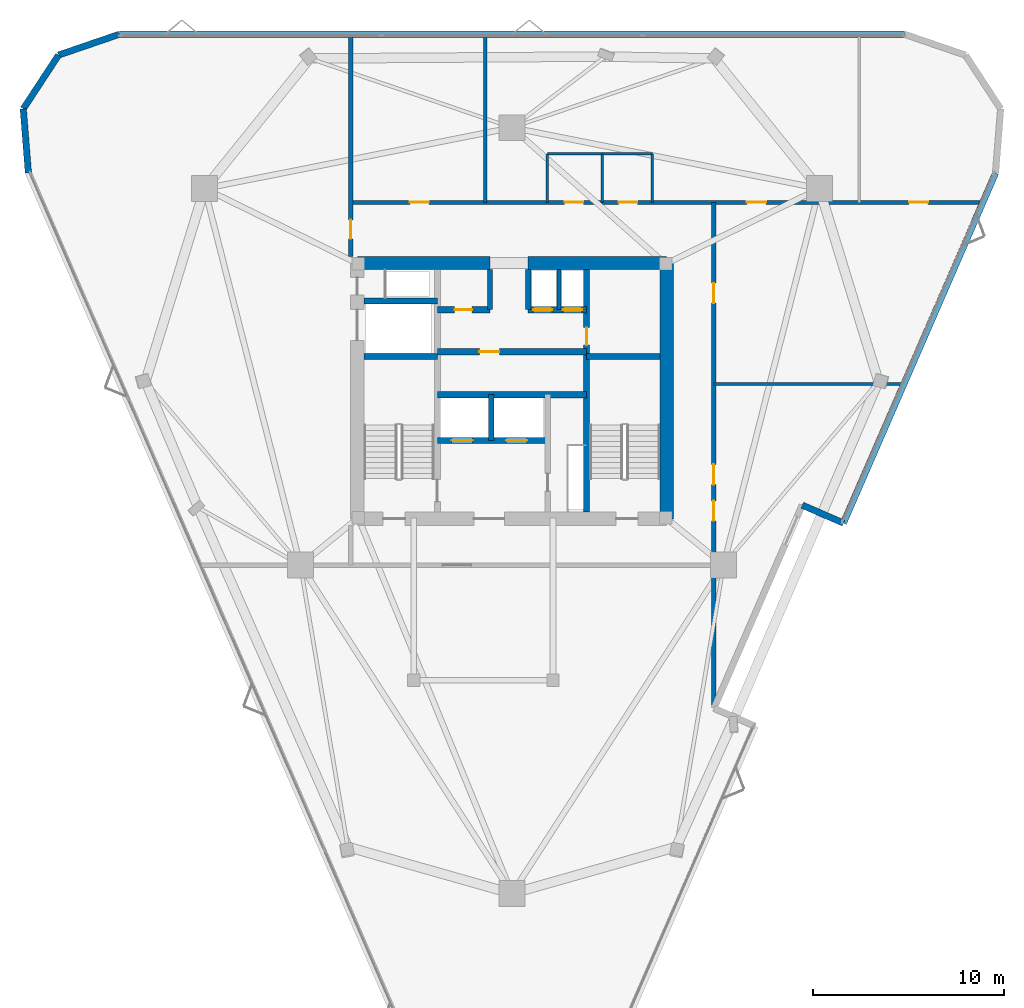
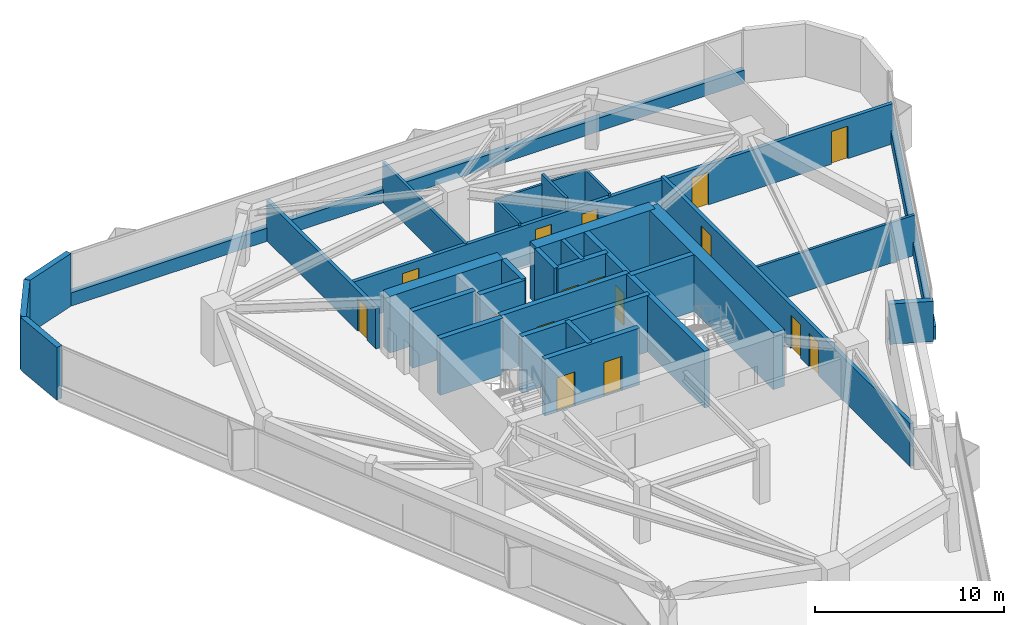
# One storey, part 8 of 10: 31 walls, 16 doors, 16 openings.
"""IFC4 building model written with IfcOpenShell, lengths in metres."""

from ifc_helpers import new_model, si_unit, direction, frame, frame_2d, origin, place, context, subcontext, project, spatial, rectangle, extrude, material, layer, layer_set, type_object, element, fill, save


model = new_model("IFC4")

# Units and contexts
model_context = context("Model", 3, precision=1e-05, world=origin(), true_north=direction((0.0, 1.0)))
body_context = subcontext(model_context, "Body", "Model", "MODEL_VIEW")
ifc_project = project(units=[si_unit("LENGTHUNIT", "METRE"), si_unit("AREAUNIT", "SQUARE_METRE"), si_unit("VOLUMEUNIT", "CUBIC_METRE"), si_unit("PLANEANGLEUNIT", "RADIAN"), si_unit("MASSUNIT", "GRAM", prefix="KILO")], contexts=[model_context])

# Site, building, storey
site_placement = place(None, origin())
site = spatial("IfcSite", under=ifc_project, at=site_placement, CompositionType="ELEMENT")
building_placement = place(site_placement, origin())
building = spatial("IfcBuilding", under=site, at=building_placement, Name="Talyreon Biosciences Tower", CompositionType="ELEMENT")
storey_placement = place(building_placement, frame((0.0, 0.0, 204.949951171875)))
storey = spatial("IfcBuildingStorey", under=building, at=storey_placement, Name="L54", CompositionType="ELEMENT", Elevation=204.949951171875)

# Walls
ifc_material_1 = material(Name="Concrete C50/60", Category="concrete")
ifc_layer_1 = layer(ifc_material_1, 0.219970703125)
ifc_layer_set_1 = layer_set([ifc_layer_1], Name="Concrete C50/60")
wall_type_1 = type_object("IfcWallType", Name="CoreShearWall_220", PredefinedType="SHEAR", material=ifc_layer_set_1)
wall_1_placement = place(storey_placement, frame((68.4599609375, 72.25, 0.0), z_axis=(0.0, 0.0, 1.0), x_axis=(0.0, 1.0, 0.0)))
element("IfcWall", 1, at=wall_1_placement, inside=storey, type_object=wall_type_1, Name="L54 Core Shaft Wall SWPHD", PredefinedType="SHEAR", context=body_context, shape_type="SweptSolid", body=[
    extrude(rectangle(XDim=2.10009765625, YDim=0.219970703125, at=frame_2d((1.050048828125, 0.0))), origin(), (0.0, 0.0, 1.0), 3.650146484375),
])
ifc_layer_2 = layer(ifc_material_1, 0.280029296875)
ifc_layer_set_2 = layer_set([ifc_layer_2], Name="Concrete C50/60")
wall_type_2 = type_object("IfcWallType", Name="CoreShearWall_280", PredefinedType="SHEAR", material=ifc_layer_set_2)
wall_2_placement = place(storey_placement, frame((64.919921875, 65.39990234375, 0.0), z_axis=(0.0, 0.0, 1.0), x_axis=(0.0, 1.0, 0.0)))
element("IfcWall", 2, at=wall_2_placement, inside=storey, type_object=wall_type_2, Name="L54 Core Shaft Wall SWSHD1", PredefinedType="SHEAR", context=body_context, shape_type="SweptSolid", body=[
    extrude(rectangle(XDim=2.400146484375, YDim=0.280029296875, at=frame_2d((1.2001953125, 0.0))), origin(), (0.0, 0.0, 1.0), 3.650146484375),
])
for number, where, z_axis, x_axis, name in (
    (3, (64.85009765625, 72.25, 0.0), (0.0, 0.0, 1.0), (0.0, 1.0, 0.0), "L54 Core Shaft Wall SWTHW"),
    (4, (66.85009765625, 72.25, 0.0), (0.0, 0.0, 1.0), (0.0, 1.0, 0.0), "L54 Core Shaft Wall SWTHE"),
):
    element("IfcWall", number, at=place(storey_placement, frame(where, z_axis=z_axis, x_axis=x_axis)), inside=storey, type_object=wall_type_2, Name=name, PredefinedType="SHEAR", context=body_context, shape_type="SweptSolid", body=[
        extrude(rectangle(XDim=2.10009765625, YDim=0.280029296875, at=frame_2d((1.050048828125, 0.0))), origin(), (0.0, 0.0, 1.0), 3.650146484375),
    ])

# Wall, opening, door
ifc_layer_3 = layer(ifc_material_1, 0.320068359375)
ifc_layer_set_3 = layer_set([ifc_layer_3], Name="Concrete C50/60")
wall_type_3 = type_object("IfcWallType", Name="CoreShearWall_320", PredefinedType="SHEAR", material=ifc_layer_set_3)
wall_3_placement = place(storey_placement, frame((69.909912109375, 61.64990234375, 0.0), z_axis=(0.0, 0.0, 1.0), x_axis=(0.0, 1.0, 0.0)))
wall_3 = element("IfcWall", 5, at=wall_3_placement, inside=storey, type_object=wall_type_3, Name="L54 Core Shaft Wall SW2W", PredefinedType="SHEAR", context=body_context, shape_type="SweptSolid", body=[
    extrude(rectangle(XDim=12.7001953125, YDim=0.320068359375, at=frame_2d((6.35009765625, 0.0))), origin(), (0.0, 0.0, 1.0), 3.650146484375),
])
opening_1_placement = place(wall_3_placement, frame((8.75, 0.0, 0.0)))
opening_1 = element("IfcOpeningElement", 6, at=opening_1_placement, cuts=wall_3, Name="Opening DR-L54-CSRV", PredefinedType="OPENING", context=body_context, shape_type="SweptSolid", body=[
    extrude(rectangle(XDim=0.919921875, YDim=2.050048828125, at=frame_2d((0.4599609375, 1.02490234375))), frame((0.0, 0.169921875, 0.0), z_axis=(0.0, -1.0, 0.0), x_axis=(1.0, 0.0, 0.0)), (0.0, 0.0, 1.0), 0.340087890625),
])
ifc_material_2 = material(Name="Painted steel fire-rated riser door", Category="steel")
door_type_1 = type_object("IfcDoorType", Name="RiserPlantAccessDoor_920x2050", OperationType="NOTDEFINED", PredefinedType="DOOR", material=ifc_material_2)
door_1_placement = place(opening_1_placement, origin())
door_1 = element("IfcDoor", 7, at=door_1_placement, inside=storey, type_object=door_type_1, Name="L54 Core Door DR-L54-CSRV", OperationType="SINGLE_SWING_RIGHT", OverallHeight=2.050048828125, OverallWidth=0.919921875, PredefinedType="DOOR", context=body_context, shape_type="SweptSolid", body=[
    extrude(rectangle(XDim=0.919921875, YDim=2.050048828125, at=frame_2d((0.4599609375, 1.02490234375))), frame((0.0, 0.02490234375, 0.0), z_axis=(0.0, -1.0, 0.0), x_axis=(1.0, 0.0, 0.0)), (0.0, 0.0, 1.0), 0.050048828125),
])
fill(opening_1, door_1)

# Walls
for number, where, z_axis, x_axis, name in (
    (8, (58.25, 69.81005859375, 0.0), (0.0, 0.0, 1.0), (1.0, 0.0, 0.0), "L54 Core Shaft Wall SW1N"),
    (9, (69.909912109375, 69.81005859375, 0.0), (0.0, 0.0, 1.0), (1.0, 0.0, 0.0), "L54 Core Shaft Wall SW2N"),
    (10, (58.25, 72.699951171875, 0.0), (0.0, 0.0, 1.0), (1.0, 0.0, 0.0), "L54 Core Shaft Wall SWGLN"),
):
    element("IfcWall", number, at=place(storey_placement, frame(where, z_axis=z_axis, x_axis=x_axis)), inside=storey, type_object=wall_type_3, Name=name, PredefinedType="SHEAR", context=body_context, shape_type="SweptSolid", body=[
        extrude(rectangle(XDim=3.840087890625, YDim=0.320068359375, at=frame_2d((1.919921875, 0.0))), origin(), (0.0, 0.0, 1.0), 3.650146484375),
    ])
wall_4_placement = place(storey_placement, frame((62.090087890625, 67.800048828125, 0.0), z_axis=(0.0, 0.0, 1.0), x_axis=(1.0, 0.0, 0.0)))
element("IfcWall", 11, at=wall_4_placement, inside=storey, type_object=wall_type_3, Name="L54 Core Shaft Wall SWSHM", PredefinedType="SHEAR", context=body_context, shape_type="SweptSolid", body=[
    extrude(rectangle(XDim=7.81982421875, YDim=0.320068359375, at=frame_2d((3.909912109375, 0.0))), origin(), (0.0, 0.0, 1.0), 3.650146484375),
])

# Wall, opening, door
wall_5_placement = place(storey_placement, frame((62.090087890625, 70.050048828125, 0.0), z_axis=(0.0, 0.0, 1.0), x_axis=(1.0, 0.0, 0.0)))
wall_5 = element("IfcWall", 12, at=wall_5_placement, inside=storey, type_object=wall_type_3, Name="L54 Core Shaft Wall SWSPN", PredefinedType="SHEAR", context=body_context, shape_type="SweptSolid", body=[
    extrude(rectangle(XDim=7.81982421875, YDim=0.320068359375, at=frame_2d((3.909912109375, 0.0))), origin(), (0.0, 0.0, 1.0), 3.650146484375),
])
opening_2_placement = place(wall_5_placement, frame((2.199951171875, 0.0, 0.0)))
opening_2 = element("IfcOpeningElement", 13, at=opening_2_placement, cuts=wall_5, Name="Opening DR-L54-PLPMFREE", PredefinedType="OPENING", context=body_context, shape_type="SweptSolid", body=[
    extrude(rectangle(XDim=1.050048828125, YDim=2.14990234375, at=frame_2d((0.52490234375, 1.074951171875))), frame((0.0, 0.169921875, 0.0), z_axis=(0.0, -1.0, 0.0), x_axis=(1.0, 0.0, 0.0)), (0.0, 0.0, 1.0), 0.340087890625),
])
ifc_material_3 = material(Name="Acoustic timber-core laboratory door", Category="wood")
door_type_2 = type_object("IfcDoorType", Name="DryLabSingleDoor_1050x2150", OperationType="NOTDEFINED", PredefinedType="DOOR", material=ifc_material_3)
door_2_placement = place(opening_2_placement, origin())
door_2 = element("IfcDoor", 14, at=door_2_placement, inside=storey, type_object=door_type_2, Name="L54 Core Door DR-L54-PLPMFREE", OperationType="SINGLE_SWING_LEFT", OverallHeight=2.14990234375, OverallWidth=1.050048828125, PredefinedType="DOOR", context=body_context, shape_type="SweptSolid", body=[
    extrude(rectangle(XDim=1.050048828125, YDim=2.14990234375, at=frame_2d((0.52490234375, 1.074951171875))), frame((0.0, 0.02490234375, 0.0), z_axis=(0.0, -1.0, 0.0), x_axis=(1.0, 0.0, 0.0)), (0.0, 0.0, 1.0), 0.050048828125),
])
fill(opening_2, door_2)

wall_6_placement = place(storey_placement, frame((62.090087890625, 72.25, 0.0), z_axis=(0.0, 0.0, 1.0), x_axis=(1.0, 0.0, 0.0)))
wall_6 = element("IfcWall", 15, at=wall_6_placement, inside=storey, type_object=wall_type_3, Name="L54 Core Shaft Wall SWNPW", PredefinedType="SHEAR", context=body_context, shape_type="SweptSolid", body=[
    extrude(rectangle(XDim=2.760009765625, YDim=0.320068359375, at=frame_2d((1.3798828125, 0.0))), origin(), (0.0, 0.0, 1.0), 3.650146484375),
])
opening_3_placement = place(wall_6_placement, frame((0.89990234375, 0.0, 0.0)))
opening_3 = element("IfcOpeningElement", 16, at=opening_3_placement, cuts=wall_6, Name="Opening DR-L54-PM2FREE", PredefinedType="OPENING", context=body_context, shape_type="SweptSolid", body=[
    extrude(rectangle(XDim=0.919921875, YDim=2.050048828125, at=frame_2d((0.4599609375, 1.02490234375))), frame((0.0, 0.169921875, 0.0), z_axis=(0.0, -1.0, 0.0), x_axis=(1.0, 0.0, 0.0)), (0.0, 0.0, 1.0), 0.340087890625),
])
door_3_placement = place(opening_3_placement, origin())
door_3 = element("IfcDoor", 17, at=door_3_placement, inside=storey, type_object=door_type_1, Name="L54 Core Door DR-L54-PM2FREE", OperationType="SINGLE_SWING_RIGHT", OverallHeight=2.050048828125, OverallWidth=0.919921875, PredefinedType="DOOR", context=body_context, shape_type="SweptSolid", body=[
    extrude(rectangle(XDim=0.919921875, YDim=2.050048828125, at=frame_2d((0.4599609375, 1.02490234375))), frame((0.0, 0.02490234375, 0.0), z_axis=(0.0, -1.0, 0.0), x_axis=(1.0, 0.0, 0.0)), (0.0, 0.0, 1.0), 0.050048828125),
])
fill(opening_3, door_3)

# Wall, openings, doors
wall_7_placement = place(storey_placement, frame((66.85009765625, 72.25, 0.0), z_axis=(0.0, 0.0, 1.0), x_axis=(1.0, 0.0, 0.0)))
wall_7 = element("IfcWall", 18, at=wall_7_placement, inside=storey, type_object=wall_type_3, Name="L54 Core Shaft Wall SWNPE", PredefinedType="SHEAR", context=body_context, shape_type="SweptSolid", body=[
    extrude(rectangle(XDim=3.059814453125, YDim=0.320068359375, at=frame_2d((1.52978515625, 0.0))), origin(), (0.0, 0.0, 1.0), 3.650146484375),
])
opening_4_placement = place(wall_7_placement, frame((0.25, 0.0, 0.0)))
opening_4 = element("IfcOpeningElement", 19, at=opening_4_placement, cuts=wall_7, Name="Opening LD-L54-PH1", PredefinedType="OPENING", context=body_context, shape_type="SweptSolid", body=[
    extrude(rectangle(XDim=1.0, YDim=2.199951171875, at=frame_2d((0.5, 1.10009765625))), frame((0.0, 0.169921875, 0.0), z_axis=(0.0, -1.0, 0.0), x_axis=(1.0, 0.0, 0.0)), (0.0, 0.0, 1.0), 0.340087890625),
])
opening_5_placement = place(wall_7_placement, frame((1.820068359375, 0.0, 0.0)))
opening_5 = element("IfcOpeningElement", 20, at=opening_5_placement, cuts=wall_7, Name="Opening LD-L54-PH2", PredefinedType="OPENING", context=body_context, shape_type="SweptSolid", body=[
    extrude(rectangle(XDim=1.0, YDim=2.199951171875, at=frame_2d((0.5, 1.10009765625))), frame((0.0, 0.169921875, 0.0), z_axis=(0.0, -1.0, 0.0), x_axis=(1.0, 0.0, 0.0)), (0.0, 0.0, 1.0), 0.340087890625),
])
ifc_material_4 = material(Name="Brushed stainless-steel lift landing door", Category="steel")
door_type_3 = type_object("IfcDoorType", Name="LiftSlidingLandingDoor_1100x2200", OperationType="SLIDING_TO_LEFT", PredefinedType="DOOR", material=ifc_material_4)
door_4_placement = place(opening_4_placement, origin())
door_4 = element("IfcDoor", 21, at=door_4_placement, inside=storey, type_object=door_type_3, Name="L54 Core Door LD-L54-PH1", OperationType="SLIDING_TO_LEFT", OverallHeight=2.199951171875, OverallWidth=1.0, PredefinedType="DOOR", context=body_context, shape_type="SweptSolid", body=[
    extrude(rectangle(XDim=1.0, YDim=2.199951171875, at=frame_2d((0.5, 1.10009765625))), frame((0.0, 0.02490234375, 0.0), z_axis=(0.0, -1.0, 0.0), x_axis=(1.0, 0.0, 0.0)), (0.0, 0.0, 1.0), 0.050048828125),
])
fill(opening_4, door_4)
door_5_placement = place(opening_5_placement, origin())
door_5 = element("IfcDoor", 22, at=door_5_placement, inside=storey, type_object=door_type_3, Name="L54 Core Door LD-L54-PH2", OperationType="SLIDING_TO_LEFT", OverallHeight=2.199951171875, OverallWidth=1.0, PredefinedType="DOOR", context=body_context, shape_type="SweptSolid", body=[
    extrude(rectangle(XDim=1.0, YDim=2.199951171875, at=frame_2d((0.5, 1.10009765625))), frame((0.0, 0.02490234375, 0.0), z_axis=(0.0, -1.0, 0.0), x_axis=(1.0, 0.0, 0.0)), (0.0, 0.0, 1.0), 0.050048828125),
])
fill(opening_5, door_5)

wall_8_placement = place(storey_placement, frame((62.090087890625, 65.39990234375, 0.0), z_axis=(0.0, 0.0, 1.0), x_axis=(1.0, 0.0, 0.0)))
wall_8 = element("IfcWall", 23, at=wall_8_placement, inside=storey, type_object=wall_type_3, Name="L54 Core Shaft Wall SWFFN", PredefinedType="SHEAR", context=body_context, shape_type="SweptSolid", body=[
    extrude(rectangle(XDim=5.789794921875, YDim=0.320068359375, at=frame_2d((2.89501953125, 0.0))), origin(), (0.0, 0.0, 1.0), 3.650146484375),
])
opening_6_placement = place(wall_8_placement, frame((0.75, 0.0, 0.0)))
opening_6 = element("IfcOpeningElement", 24, at=opening_6_placement, cuts=wall_8, Name="Opening LD-L54-FL1", PredefinedType="OPENING", context=body_context, shape_type="SweptSolid", body=[
    extrude(rectangle(XDim=1.10009765625, YDim=2.199951171875, at=frame_2d((0.550048828125, 1.10009765625))), frame((0.0, 0.169921875, 0.0), z_axis=(0.0, -1.0, 0.0), x_axis=(1.0, 0.0, 0.0)), (0.0, 0.0, 1.0), 0.340087890625),
])
opening_7_placement = place(wall_8_placement, frame((3.60009765625, 0.0, 0.0)))
opening_7 = element("IfcOpeningElement", 25, at=opening_7_placement, cuts=wall_8, Name="Opening LD-L54-FL2", PredefinedType="OPENING", context=body_context, shape_type="SweptSolid", body=[
    extrude(rectangle(XDim=1.10009765625, YDim=2.199951171875, at=frame_2d((0.550048828125, 1.10009765625))), frame((0.0, 0.169921875, 0.0), z_axis=(0.0, -1.0, 0.0), x_axis=(1.0, 0.0, 0.0)), (0.0, 0.0, 1.0), 0.340087890625),
])
door_6_placement = place(opening_6_placement, origin())
door_6 = element("IfcDoor", 26, at=door_6_placement, inside=storey, type_object=door_type_3, Name="L54 Core Door LD-L54-FL1", OperationType="SLIDING_TO_LEFT", OverallHeight=2.199951171875, OverallWidth=1.10009765625, PredefinedType="DOOR", context=body_context, shape_type="SweptSolid", body=[
    extrude(rectangle(XDim=1.10009765625, YDim=2.199951171875, at=frame_2d((0.550048828125, 1.10009765625))), frame((0.0, 0.02490234375, 0.0), z_axis=(0.0, -1.0, 0.0), x_axis=(1.0, 0.0, 0.0)), (0.0, 0.0, 1.0), 0.050048828125),
])
fill(opening_6, door_6)
door_7_placement = place(opening_7_placement, origin())
door_7 = element("IfcDoor", 27, at=door_7_placement, inside=storey, type_object=door_type_3, Name="L54 Core Door LD-L54-FL2", OperationType="SLIDING_TO_LEFT", OverallHeight=2.199951171875, OverallWidth=1.10009765625, PredefinedType="DOOR", context=body_context, shape_type="SweptSolid", body=[
    extrude(rectangle(XDim=1.10009765625, YDim=2.199951171875, at=frame_2d((0.550048828125, 1.10009765625))), frame((0.0, 0.02490234375, 0.0), z_axis=(0.0, -1.0, 0.0), x_axis=(1.0, 0.0, 0.0)), (0.0, 0.0, 1.0), 0.050048828125),
])
fill(opening_7, door_7)

# Walls
ifc_layer_4 = layer(ifc_material_1, 0.699951171875)
ifc_layer_set_4 = layer_set([ifc_layer_4], Name="Concrete C50/60")
wall_type_4 = type_object("IfcWallType", Name="CoreShearWall_700", PredefinedType="SHEAR", material=ifc_layer_set_4)
wall_9_placement = place(storey_placement, frame((74.10009765625, 61.300048828125, 0.0), z_axis=(0.0, 0.0, 1.0), x_axis=(0.0, 1.0, 0.0)))
element("IfcWall", 28, at=wall_9_placement, inside=storey, type_object=wall_type_4, Name="L54 Core Shear Wall E", PredefinedType="SHEAR", context=body_context, shape_type="SweptSolid", body=[
    extrude(rectangle(XDim=13.39990234375, YDim=0.699951171875, at=frame_2d((6.699951171875, 0.0))), origin(), (0.0, 0.0, 1.0), 3.650146484375),
])
wall_10_placement = place(storey_placement, frame((74.10009765625, 74.699951171875, 0.0), z_axis=(0.0, 0.0, 1.0), x_axis=(-1.0, 0.0, 0.0)))
element("IfcWall", 29, at=wall_10_placement, inside=storey, type_object=wall_type_4, Name="L54 Core Shear Wall NE", PredefinedType="SHEAR", context=body_context, shape_type="SweptSolid", body=[
    extrude(rectangle(XDim=7.25, YDim=0.699951171875, at=frame_2d((3.625, 0.0))), origin(), (0.0, 0.0, 1.0), 3.650146484375),
])
wall_11_placement = place(storey_placement, frame((64.85009765625, 74.699951171875, 0.0), z_axis=(0.0, 0.0, 1.0), x_axis=(-1.0, 0.0, 0.0)))
element("IfcWall", 30, at=wall_11_placement, inside=storey, type_object=wall_type_4, Name="L54 Core Shear Wall NW", PredefinedType="SHEAR", context=body_context, shape_type="SweptSolid", body=[
    extrude(rectangle(XDim=6.9501953125, YDim=0.699951171875, at=frame_2d((3.47509765625, 0.0))), origin(), (0.0, 0.0, 1.0), 3.650146484375),
])

# Wall, openings, doors
ifc_material_5 = material(Name="Gypsum fireboard acoustic stud", Category="gypsum")
ifc_layer_5 = layer(ifc_material_5, 0.219970703125)
ifc_layer_set_5 = layer_set([ifc_layer_5], Name="Gypsum fireboard acoustic stud")
wall_type_5 = type_object("IfcWallType", Name="CorridorRatedPartition_220", PredefinedType="PARTITIONING", material=ifc_layer_set_5)
wall_12_placement = place(storey_placement, frame((57.550048828125, 77.8701171875, 0.0), z_axis=(0.0, 0.0, 1.0), x_axis=(1.0, 0.0, 0.0)))
wall_12 = element("IfcWall", 31, at=wall_12_placement, inside=storey, type_object=wall_type_5, Name="L54 Interior Wall IW-L54-COR-N", PredefinedType="PARTITIONING", context=body_context, shape_type="SweptSolid", body=[
    extrude(rectangle(XDim=33.021240234375, YDim=0.219970703125, at=frame_2d((16.5107421875, 0.0))), origin(), (0.0, 0.0, 1.0), 2.60009765625),
])
opening_8_placement = place(wall_12_placement, frame((11.2099609375, 0.0, 0.0)))
opening_8 = element("IfcOpeningElement", 32, at=opening_8_placement, cuts=wall_12, Name="Opening DR-L54-WC", PredefinedType="OPENING", context=body_context, shape_type="SweptSolid", body=[
    extrude(rectangle(XDim=0.97998046875, YDim=2.10009765625, at=frame_2d((0.489990234375, 1.050048828125))), frame((0.0, 0.119873046875, 0.0), z_axis=(0.0, -1.0, 0.0), x_axis=(1.0, 0.0, 0.0)), (0.0, 0.0, 1.0), 0.239990234375),
])
opening_9_placement = place(wall_12_placement, frame((14.034912109375, 0.0, 0.0)))
opening_9 = element("IfcOpeningElement", 33, at=opening_9_placement, cuts=wall_12, Name="Opening DR-L54-AWC", PredefinedType="OPENING", context=body_context, shape_type="SweptSolid", body=[
    extrude(rectangle(XDim=0.97998046875, YDim=2.10009765625, at=frame_2d((0.489990234375, 1.050048828125))), frame((0.0, 0.119873046875, 0.0), z_axis=(0.0, -1.0, 0.0), x_axis=(1.0, 0.0, 0.0)), (0.0, 0.0, 1.0), 0.239990234375),
])
opening_10_placement = place(wall_12_placement, frame((3.10009765625, 0.0, 0.0)))
opening_10 = element("IfcOpeningElement", 34, at=opening_10_placement, cuts=wall_12, Name="Opening DR-L54-N1A", PredefinedType="OPENING", context=body_context, shape_type="SweptSolid", body=[
    extrude(rectangle(XDim=1.0, YDim=2.10009765625, at=frame_2d((0.5, 1.050048828125))), frame((0.0, 0.119873046875, 0.0), z_axis=(0.0, -1.0, 0.0), x_axis=(1.0, 0.0, 0.0)), (0.0, 0.0, 1.0), 0.239990234375),
])
opening_11_placement = place(wall_12_placement, frame((20.757080078125, 0.0, 0.0)))
opening_11 = element("IfcOpeningElement", 35, at=opening_11_placement, cuts=wall_12, Name="Opening DR-L54-N2A", PredefinedType="OPENING", context=body_context, shape_type="SweptSolid", body=[
    extrude(rectangle(XDim=1.0, YDim=2.10009765625, at=frame_2d((0.5, 1.050048828125))), frame((0.0, 0.119873046875, 0.0), z_axis=(0.0, -1.0, 0.0), x_axis=(1.0, 0.0, 0.0)), (0.0, 0.0, 1.0), 0.239990234375),
])
opening_12_placement = place(wall_12_placement, frame((29.251953125, 0.0, 0.0)))
opening_12 = element("IfcOpeningElement", 36, at=opening_12_placement, cuts=wall_12, Name="Opening DR-L54-N3A", PredefinedType="OPENING", context=body_context, shape_type="SweptSolid", body=[
    extrude(rectangle(XDim=1.0, YDim=2.10009765625, at=frame_2d((0.5, 1.050048828125))), frame((0.0, 0.119873046875, 0.0), z_axis=(0.0, -1.0, 0.0), x_axis=(1.0, 0.0, 0.0)), (0.0, 0.0, 1.0), 0.239990234375),
])
ifc_material_6 = material(Name="Laminate moisture-resistant door", Category="wood")
door_type_4 = type_object("IfcDoorType", Name="AccessibleToiletDoor_980x2100", OperationType="NOTDEFINED", PredefinedType="DOOR", material=ifc_material_6)
door_8_placement = place(opening_8_placement, origin())
door_8 = element("IfcDoor", 37, at=door_8_placement, inside=storey, type_object=door_type_4, Name="L54 Interior Door DR-L54-WC", OperationType="SINGLE_SWING_LEFT", OverallHeight=2.10009765625, OverallWidth=0.97998046875, PredefinedType="DOOR", context=body_context, shape_type="SweptSolid", body=[
    extrude(rectangle(XDim=0.97998046875, YDim=2.10009765625, at=frame_2d((0.489990234375, 1.050048828125))), frame((0.0, 0.02490234375, 0.0), z_axis=(0.0, -1.0, 0.0), x_axis=(1.0, 0.0, 0.0)), (0.0, 0.0, 1.0), 0.050048828125),
])
fill(opening_8, door_8)
door_9_placement = place(opening_9_placement, origin())
door_9 = element("IfcDoor", 38, at=door_9_placement, inside=storey, type_object=door_type_4, Name="L54 Interior Door DR-L54-AWC", OperationType="SINGLE_SWING_LEFT", OverallHeight=2.10009765625, OverallWidth=0.97998046875, PredefinedType="DOOR", context=body_context, shape_type="SweptSolid", body=[
    extrude(rectangle(XDim=0.97998046875, YDim=2.10009765625, at=frame_2d((0.489990234375, 1.050048828125))), frame((0.0, 0.02490234375, 0.0), z_axis=(0.0, -1.0, 0.0), x_axis=(1.0, 0.0, 0.0)), (0.0, 0.0, 1.0), 0.050048828125),
])
fill(opening_9, door_9)
ifc_material_7 = material(Name="Acoustic oak veneer office door", Category="wood")
door_type_5 = type_object("IfcDoorType", Name="WriteupOfficeDoor_1000x2100", OperationType="NOTDEFINED", PredefinedType="DOOR", material=ifc_material_7)
door_10_placement = place(opening_10_placement, origin())
door_10 = element("IfcDoor", 39, at=door_10_placement, inside=storey, type_object=door_type_5, Name="L54 Interior Door DR-L54-N1A", OperationType="SINGLE_SWING_LEFT", OverallHeight=2.10009765625, OverallWidth=1.0, PredefinedType="DOOR", context=body_context, shape_type="SweptSolid", body=[
    extrude(rectangle(XDim=1.0, YDim=2.10009765625, at=frame_2d((0.5, 1.050048828125))), frame((0.0, 0.02490234375, 0.0), z_axis=(0.0, -1.0, 0.0), x_axis=(1.0, 0.0, 0.0)), (0.0, 0.0, 1.0), 0.050048828125),
])
fill(opening_10, door_10)
door_11_placement = place(opening_11_placement, origin())
door_11 = element("IfcDoor", 40, at=door_11_placement, inside=storey, type_object=door_type_5, Name="L54 Interior Door DR-L54-N2A", OperationType="SINGLE_SWING_RIGHT", OverallHeight=2.10009765625, OverallWidth=1.0, PredefinedType="DOOR", context=body_context, shape_type="SweptSolid", body=[
    extrude(rectangle(XDim=1.0, YDim=2.10009765625, at=frame_2d((0.5, 1.050048828125))), frame((0.0, 0.02490234375, 0.0), z_axis=(0.0, -1.0, 0.0), x_axis=(1.0, 0.0, 0.0)), (0.0, 0.0, 1.0), 0.050048828125),
])
fill(opening_11, door_11)
door_12_placement = place(opening_12_placement, origin())
door_12 = element("IfcDoor", 41, at=door_12_placement, inside=storey, type_object=door_type_5, Name="L54 Interior Door DR-L54-N3A", OperationType="SINGLE_SWING_RIGHT", OverallHeight=2.10009765625, OverallWidth=1.0, PredefinedType="DOOR", context=body_context, shape_type="SweptSolid", body=[
    extrude(rectangle(XDim=1.0, YDim=2.10009765625, at=frame_2d((0.5, 1.050048828125))), frame((0.0, 0.02490234375, 0.0), z_axis=(0.0, -1.0, 0.0), x_axis=(1.0, 0.0, 0.0)), (0.0, 0.0, 1.0), 0.050048828125),
])
fill(opening_12, door_12)

# Wall, opening, door
wall_13_placement = place(storey_placement, frame((57.550048828125, 75.050048828125, 0.0), z_axis=(0.0, 0.0, 1.0), x_axis=(0.0, 1.0, 0.0)))
wall_13 = element("IfcWall", 42, at=wall_13_placement, inside=storey, type_object=wall_type_5, Name="L54 Interior Wall IW-L54-WCAP-N", PredefinedType="PARTITIONING", context=body_context, shape_type="SweptSolid", body=[
    extrude(rectangle(XDim=11.550048828125, YDim=0.219970703125, at=frame_2d((5.77490234375, 0.0))), origin(), (0.0, 0.0, 1.0), 2.60009765625),
])
opening_13_placement = place(wall_13_placement, frame((0.909912109375, 0.0, 0.0)))
opening_13 = element("IfcOpeningElement", 43, at=opening_13_placement, cuts=wall_13, Name="Opening DR-L54-W1A", PredefinedType="OPENING", context=body_context, shape_type="SweptSolid", body=[
    extrude(rectangle(XDim=1.0, YDim=2.10009765625, at=frame_2d((0.5, 1.050048828125))), frame((0.0, 0.119873046875, 0.0), z_axis=(0.0, -1.0, 0.0), x_axis=(1.0, 0.0, 0.0)), (0.0, 0.0, 1.0), 0.239990234375),
])
door_13_placement = place(opening_13_placement, origin())
door_13 = element("IfcDoor", 44, at=door_13_placement, inside=storey, type_object=door_type_5, Name="L54 Interior Door DR-L54-W1A", OperationType="SINGLE_SWING_RIGHT", OverallHeight=2.10009765625, OverallWidth=1.0, PredefinedType="DOOR", context=body_context, shape_type="SweptSolid", body=[
    extrude(rectangle(XDim=1.0, YDim=2.10009765625, at=frame_2d((0.5, 1.050048828125))), frame((0.0, 0.02490234375, 0.0), z_axis=(0.0, -1.0, 0.0), x_axis=(1.0, 0.0, 0.0)), (0.0, 0.0, 1.0), 0.050048828125),
])
fill(opening_13, door_13)

# Wall, openings, doors
wall_14_placement = place(storey_placement, frame((76.570068359375, 51.552490234375, 0.0), z_axis=(0.0, 0.0, 1.0), x_axis=(0.0, 1.0, 0.0)))
wall_14 = element("IfcWall", 45, at=wall_14_placement, inside=storey, type_object=wall_type_5, Name="L54 Interior Wall IW-L54-COR-E", PredefinedType="PARTITIONING", context=body_context, shape_type="SweptSolid", body=[
    extrude(rectangle(XDim=26.317626953125, YDim=0.219970703125, at=frame_2d((13.15869140625, 0.0))), origin(), (0.0, 0.0, 1.0), 2.780029296875),
])
opening_14_placement = place(wall_14_placement, frame((11.5419921875, 0.0, 0.0)))
opening_14 = element("IfcOpeningElement", 46, at=opening_14_placement, cuts=wall_14, Name="Opening DR-L54-E1A", PredefinedType="OPENING", context=body_context, shape_type="SweptSolid", body=[
    extrude(rectangle(XDim=1.050048828125, YDim=2.14990234375, at=frame_2d((0.52490234375, 1.074951171875))), frame((0.0, 0.119873046875, 0.0), z_axis=(0.0, -1.0, 0.0), x_axis=(1.0, 0.0, 0.0)), (0.0, 0.0, 1.0), 0.239990234375),
])
opening_15_placement = place(wall_14_placement, frame((9.639892578125, 0.0, 0.0)))
opening_15 = element("IfcOpeningElement", 47, at=opening_15_placement, cuts=wall_14, Name="Opening DR-L54-E1B", PredefinedType="OPENING", context=body_context, shape_type="SweptSolid", body=[
    extrude(rectangle(XDim=1.050048828125, YDim=2.14990234375, at=frame_2d((0.52490234375, 1.074951171875))), frame((0.0, 0.119873046875, 0.0), z_axis=(0.0, -1.0, 0.0), x_axis=(1.0, 0.0, 0.0)), (0.0, 0.0, 1.0), 0.239990234375),
])
opening_16_placement = place(wall_14_placement, frame((21.04296875, 0.0, 0.0)))
opening_16 = element("IfcOpeningElement", 48, at=opening_16_placement, cuts=wall_14, Name="Opening DR-L54-E2A", PredefinedType="OPENING", context=body_context, shape_type="SweptSolid", body=[
    extrude(rectangle(XDim=1.050048828125, YDim=2.14990234375, at=frame_2d((0.52490234375, 1.074951171875))), frame((0.0, 0.119873046875, 0.0), z_axis=(0.0, -1.0, 0.0), x_axis=(1.0, 0.0, 0.0)), (0.0, 0.0, 1.0), 0.239990234375),
])
door_14_placement = place(opening_14_placement, origin())
door_14 = element("IfcDoor", 49, at=door_14_placement, inside=storey, type_object=door_type_2, Name="L54 Interior Door DR-L54-E1A", OperationType="SINGLE_SWING_LEFT", OverallHeight=2.14990234375, OverallWidth=1.050048828125, PredefinedType="DOOR", context=body_context, shape_type="SweptSolid", body=[
    extrude(rectangle(XDim=1.050048828125, YDim=2.14990234375, at=frame_2d((0.52490234375, 1.074951171875))), frame((0.0, 0.02490234375, 0.0), z_axis=(0.0, -1.0, 0.0), x_axis=(1.0, 0.0, 0.0)), (0.0, 0.0, 1.0), 0.050048828125),
])
fill(opening_14, door_14)
door_15_placement = place(opening_15_placement, origin())
door_15 = element("IfcDoor", 50, at=door_15_placement, inside=storey, type_object=door_type_2, Name="L54 Interior Door DR-L54-E1B", OperationType="SINGLE_SWING_LEFT", OverallHeight=2.14990234375, OverallWidth=1.050048828125, PredefinedType="DOOR", context=body_context, shape_type="SweptSolid", body=[
    extrude(rectangle(XDim=1.050048828125, YDim=2.14990234375, at=frame_2d((0.52490234375, 1.074951171875))), frame((0.0, 0.02490234375, 0.0), z_axis=(0.0, -1.0, 0.0), x_axis=(1.0, 0.0, 0.0)), (0.0, 0.0, 1.0), 0.050048828125),
])
fill(opening_15, door_15)
door_16_placement = place(opening_16_placement, origin())
door_16 = element("IfcDoor", 51, at=door_16_placement, inside=storey, type_object=door_type_2, Name="L54 Interior Door DR-L54-E2A", OperationType="SINGLE_SWING_LEFT", OverallHeight=2.14990234375, OverallWidth=1.050048828125, PredefinedType="DOOR", context=body_context, shape_type="SweptSolid", body=[
    extrude(rectangle(XDim=1.050048828125, YDim=2.14990234375, at=frame_2d((0.52490234375, 1.074951171875))), frame((0.0, 0.02490234375, 0.0), z_axis=(0.0, -1.0, 0.0), x_axis=(1.0, 0.0, 0.0)), (0.0, 0.0, 1.0), 0.050048828125),
])
fill(opening_16, door_16)

# Walls
ifc_material_8 = material(Name="Gypsum acoustic stud partition", Category="gypsum")
ifc_layer_6 = layer(ifc_material_8, 0.159912109375)
ifc_layer_set_6 = layer_set([ifc_layer_6], Name="Gypsum acoustic stud partition")
wall_type_6 = type_object("IfcWallType", Name="LabSeparationPartition_160", PredefinedType="PARTITIONING", material=ifc_layer_set_6)
wall_15_placement = place(storey_placement, frame((64.60009765625, 77.8701171875, 0.0), z_axis=(0.0, 0.0, 1.0), x_axis=(0.0, 1.0, 0.0)))
element("IfcWall", 52, at=wall_15_placement, inside=storey, type_object=wall_type_6, Name="L54 Interior Wall IW-L54-NDIV1", PredefinedType="PARTITIONING", context=body_context, shape_type="SweptSolid", body=[
    extrude(rectangle(XDim=8.72998046875, YDim=0.159912109375, at=frame_2d((4.364990234375, 0.0))), origin(), (0.0, 0.0, 1.0), 2.60009765625),
])
wall_16_placement = place(storey_placement, frame((76.570068359375, 68.3701171875, 0.0), z_axis=(0.0, 0.0, 1.0), x_axis=(1.0, 0.0, 0.0)))
element("IfcWall", 53, at=wall_16_placement, inside=storey, type_object=wall_type_6, Name="L54 Interior Wall IW-L54-EDIV1", PredefinedType="PARTITIONING", context=body_context, shape_type="SweptSolid", body=[
    extrude(rectangle(XDim=9.8720703125, YDim=0.159912109375, at=frame_2d((4.93603515625, 0.0))), origin(), (0.0, 0.0, 1.0), 2.60009765625),
])
ifc_material_9 = material(Name="Precast concrete C45/55", Category="concrete")
ifc_layer_7 = layer(ifc_material_9, 0.340087890625)
ifc_layer_set_7 = layer_set([ifc_layer_7], Name="Precast concrete C45/55")
wall_type_7 = type_object("IfcWallType", Name="PrecastConcreteSpandrelWall_340", PredefinedType="STANDARD", material=ifc_layer_set_7)
wall_17_placement = place(storey_placement, frame((40.66552734375, 79.412353515625, 0.0), z_axis=(0.0, 0.0, 1.0), x_axis=(-0.079802786794, 0.996810671702, 0.0)))
element("IfcWall", 54, at=wall_17_placement, inside=storey, type_object=wall_type_7, Name="L54 Rounded-Corner Concrete Pier 00", PredefinedType="STANDARD", context=body_context, shape_type="SweptSolid", body=[
    extrude(rectangle(XDim=3.371337890625, YDim=0.340087890625, at=frame_2d((1.685546875, 0.0))), origin(), (0.0, 0.0, 1.0), 3.400146484375),
])
wall_18_placement = place(storey_placement, frame((40.396484375, 82.77294921875, 0.0), z_axis=(0.0, 0.0, 1.0), x_axis=(0.548384356693, 0.836226403155, 0.0)))
element("IfcWall", 55, at=wall_18_placement, inside=storey, type_object=wall_type_7, Name="L54 Rounded-Corner Concrete Pier 01", PredefinedType="STANDARD", context=body_context, shape_type="SweptSolid", body=[
    extrude(rectangle(XDim=3.37158203125, YDim=0.340087890625, at=frame_2d((1.685791015625, 0.0))), origin(), (0.0, 0.0, 1.0), 3.400146484375),
])
wall_19_placement = place(storey_placement, frame((42.245361328125, 85.59228515625, 0.0), z_axis=(0.0, 0.0, 1.0), x_axis=(0.945984660403, 0.324211385182, 0.0)))
element("IfcWall", 56, at=wall_19_placement, inside=storey, type_object=wall_type_7, Name="L54 Rounded-Corner Concrete Pier 02", PredefinedType="STANDARD", context=body_context, shape_type="SweptSolid", body=[
    extrude(rectangle(XDim=3.371337890625, YDim=0.340087890625, at=frame_2d((1.685546875, 0.0))), origin(), (0.0, 0.0, 1.0), 3.400146484375),
])
wall_20_placement = place(storey_placement, frame((45.4345703125, 86.685302734375, 0.0), z_axis=(0.0, 0.0, 1.0), x_axis=(1.0, 0.0, 0.0)))
element("IfcWall", 57, at=wall_20_placement, inside=storey, type_object=wall_type_7, Name="L54 Expressed Concrete Sill Wall 03", PredefinedType="STANDARD", context=body_context, shape_type="SweptSolid", body=[
    extrude(rectangle(XDim=41.130859375, YDim=0.340087890625, at=frame_2d((20.5654296875, 0.0))), origin(), (0.0, 0.0, 1.0), 0.85009765625),
])
wall_21_placement = place(storey_placement, frame((91.33447265625, 79.412353515625, 0.0), z_axis=(0.0, 0.0, 1.0), x_axis=(-0.398629672145, -0.917111980341, 0.0)))
element("IfcWall", 58, at=wall_21_placement, inside=storey, type_object=wall_type_7, Name="L54 Expressed Concrete Sill Wall 07", PredefinedType="STANDARD", context=body_context, shape_type="SweptSolid", body=[
    extrude(rectangle(XDim=19.995361328125, YDim=0.340087890625, at=frame_2d((9.99755859375, 0.0))), origin(), (0.0, 0.0, 1.0), 0.85009765625),
])
wall_22_placement = place(storey_placement, frame((83.36376953125, 61.074462890625, 0.0), z_axis=(0.0, 0.0, 1.0), x_axis=(-0.917155923187, 0.398528559282, 0.0)))
element("IfcWall", 59, at=wall_22_placement, inside=storey, type_object=wall_type_7, Name="L54 Terrace Backing Concrete Wall 08", PredefinedType="STANDARD", context=body_context, shape_type="SweptSolid", body=[
    extrude(rectangle(XDim=2.349853515625, YDim=0.340087890625, at=frame_2d((1.1748046875, 0.0))), origin(), (0.0, 0.0, 1.0), 2.60009765625),
])
ifc_material_10 = material(Name="Moisture-resistant cement-board stud", Category="gypsum")
ifc_layer_8 = layer(ifc_material_10, 0.14501953125)
ifc_layer_set_8 = layer_set([ifc_layer_8], Name="Moisture-resistant cement-board stud")
wall_type_8 = type_object("IfcWallType", Name="WetRoomPartition_145", PredefinedType="PARTITIONING", material=ifc_layer_set_8)
wall_23_placement = place(storey_placement, frame((67.85009765625, 77.8701171875, 0.0), z_axis=(0.0, 0.0, 1.0), x_axis=(0.0, 1.0, 0.0)))
element("IfcWall", 60, at=wall_23_placement, inside=storey, type_object=wall_type_8, Name="L54 Interior Wall IW-L54-WCL", PredefinedType="PARTITIONING", context=body_context, shape_type="SweptSolid", body=[
    extrude(rectangle(XDim=2.5498046875, YDim=0.14501953125, at=frame_2d((1.27490234375, 0.0))), origin(), (0.0, 0.0, 1.0), 2.780029296875),
])
wall_24_placement = place(storey_placement, frame((70.72509765625, 77.8701171875, 0.0), z_axis=(0.0, 0.0, 1.0), x_axis=(0.0, 1.0, 0.0)))
element("IfcWall", 61, at=wall_24_placement, inside=storey, type_object=wall_type_8, Name="L54 Interior Wall IW-L54-WCM", PredefinedType="PARTITIONING", context=body_context, shape_type="SweptSolid", body=[
    extrude(rectangle(XDim=2.5498046875, YDim=0.14501953125, at=frame_2d((1.27490234375, 0.0))), origin(), (0.0, 0.0, 1.0), 3.400146484375),
])
wall_25_placement = place(storey_placement, frame((73.35009765625, 77.8701171875, 0.0), z_axis=(0.0, 0.0, 1.0), x_axis=(0.0, 1.0, 0.0)))
element("IfcWall", 62, at=wall_25_placement, inside=storey, type_object=wall_type_8, Name="L54 Interior Wall IW-L54-WCR", PredefinedType="PARTITIONING", context=body_context, shape_type="SweptSolid", body=[
    extrude(rectangle(XDim=2.5498046875, YDim=0.14501953125, at=frame_2d((1.27490234375, 0.0))), origin(), (0.0, 0.0, 1.0), 2.780029296875),
])
wall_26_placement = place(storey_placement, frame((67.85009765625, 80.419921875, 0.0), z_axis=(0.0, 0.0, 1.0), x_axis=(1.0, 0.0, 0.0)))
element("IfcWall", 63, at=wall_26_placement, inside=storey, type_object=wall_type_8, Name="L54 Interior Wall IW-L54-WCT", PredefinedType="PARTITIONING", context=body_context, shape_type="SweptSolid", body=[
    extrude(rectangle(XDim=5.5, YDim=0.14501953125, at=frame_2d((2.75, 0.0))), origin(), (0.0, 0.0, 1.0), 2.780029296875),
])

save(model, "model.ifc")
